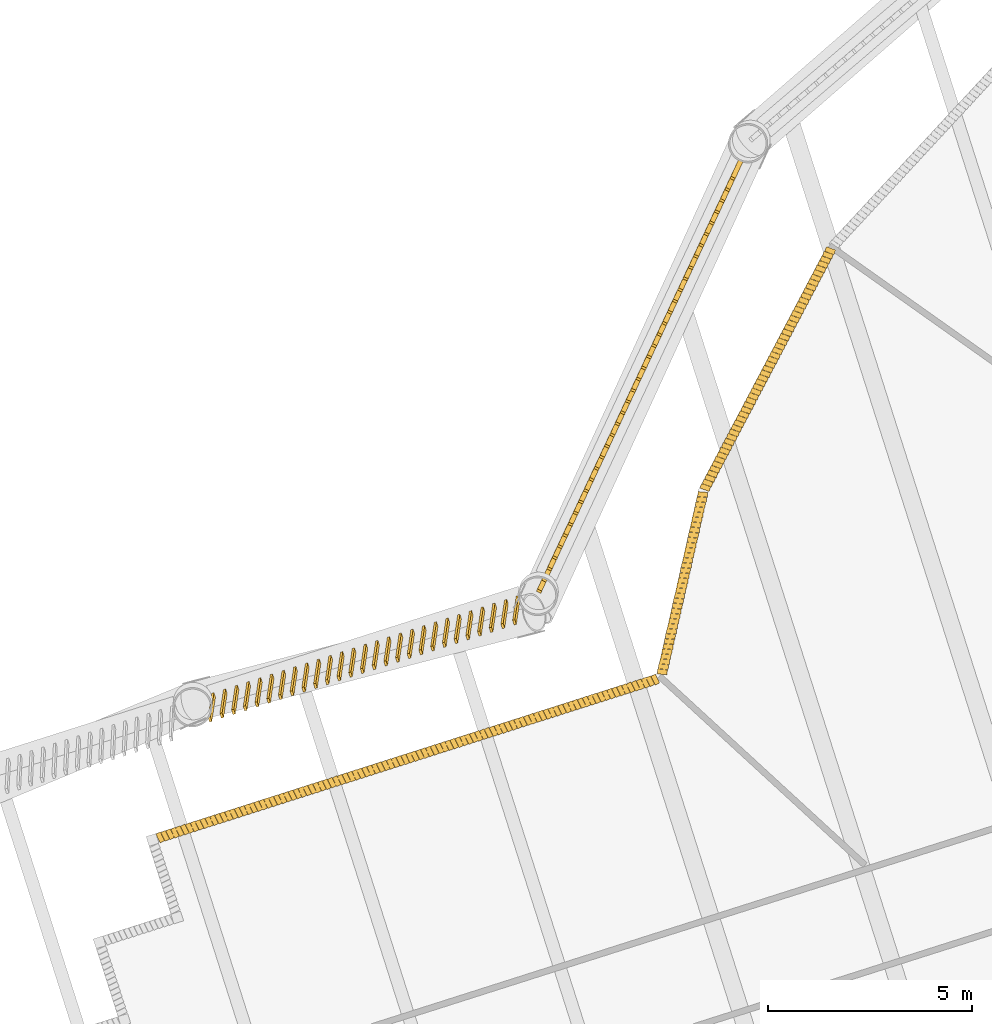
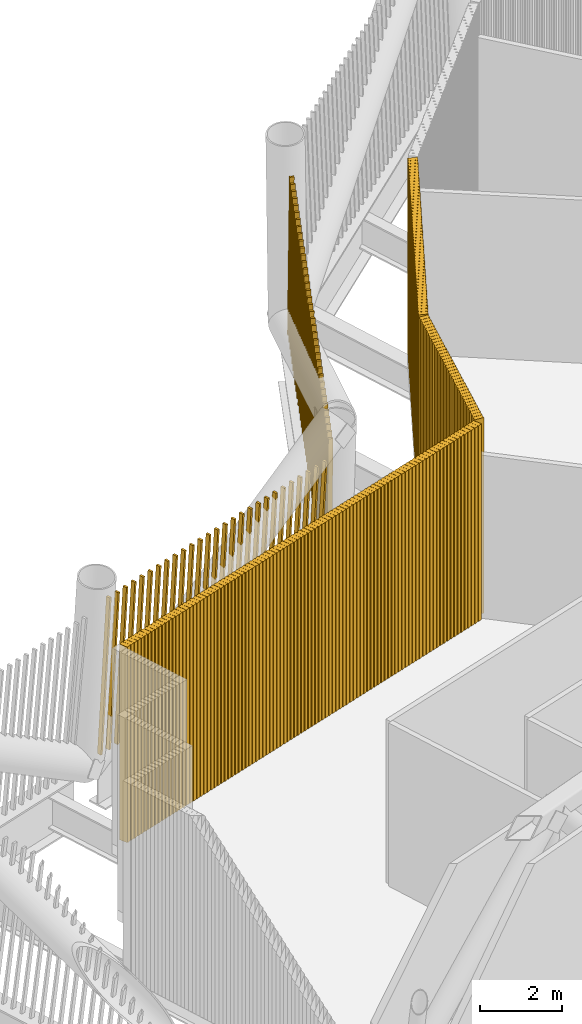
# One storey, part 33 of 40: 5 shading devices.
"""IFC4 building model written with IfcOpenShell, lengths in metres."""

from ifc_helpers import new_model, si_unit, direction, frame, frame_2d, origin, place, context, subcontext, project, spatial, rectangle, composite_profile, extrude, material, type_object, element, save


model = new_model("IFC4")

# Units and contexts
model_context = context("Model", 3, precision=1e-05, world=origin(), true_north=direction((0.0, 1.0)))
body_context = subcontext(model_context, "Body", "Model", "MODEL_VIEW")
ifc_project = project(units=[si_unit("LENGTHUNIT", "METRE"), si_unit("AREAUNIT", "SQUARE_METRE"), si_unit("VOLUMEUNIT", "CUBIC_METRE"), si_unit("PLANEANGLEUNIT", "RADIAN"), si_unit("MASSUNIT", "GRAM", prefix="KILO")], contexts=[model_context])

# Site, building, storey
site_placement = place(None, origin())
site = spatial("IfcSite", under=ifc_project, at=site_placement, CompositionType="ELEMENT")
building_placement = place(site_placement, origin())
building = spatial("IfcBuilding", under=site, at=building_placement, Name="Tarsis Ring Headquarters", CompositionType="ELEMENT")
storey_placement = place(building_placement, frame((0.0, 0.0, 354.800048828125)))
storey = spatial("IfcBuildingStorey", under=building, at=storey_placement, Name="L84", CompositionType="ELEMENT", Elevation=354.800048828125)

# Shading devices
ifc_material_1 = material(Name="Aluminium louvre", Category="aluminium")
shading_device_type_1 = type_object("IfcShadingDeviceType", Name="Plant louvre fin", PredefinedType="USERDEFINED", material=ifc_material_1)
shading_device_1_placement = place(storey_placement, frame((-21.119140625, 14.9443359375, 0.0), z_axis=(0.0, 0.0, 1.0), x_axis=(-0.466693302339, -0.884425395903, 0.0)))
element("IfcShadingDevice", 1, at=shading_device_1_placement, inside=storey, type_object=shading_device_type_1, Name="Louvre L84-29", ObjectType="Louvre", PredefinedType="USERDEFINED", context=body_context, shape_type="SweptSolid", body=[
    extrude(composite_profile([rectangle(XDim=0.1201171875, YDim=0.239990234375, at=frame_2d((0.076171875, 0.0), x_axis=(0.990268068742, 0.13917310096))), rectangle(XDim=0.1201171875, YDim=0.239990234375, at=frame_2d((0.202392578125, 0.0), x_axis=(0.990268068742, 0.13917310096))), rectangle(XDim=0.1201171875, YDim=0.239990234375, at=frame_2d((0.328857421875, 0.0), x_axis=(0.990268068742, 0.13917310096))), rectangle(XDim=0.1201171875, YDim=0.239990234375, at=frame_2d((0.455078125, 0.0), x_axis=(0.990268068742, 0.13917310096))), rectangle(XDim=0.1201171875, YDim=0.239990234375, at=frame_2d((0.58154296875, 0.0), x_axis=(0.990268068742, 0.13917310096))), rectangle(XDim=0.1201171875, YDim=0.239990234375, at=frame_2d((0.707763671875, 0.0), x_axis=(0.990268068742, 0.13917310096))), rectangle(XDim=0.1201171875, YDim=0.239990234375, at=frame_2d((0.834228515625, 0.0), x_axis=(0.990268068742, 0.13917310096))), rectangle(XDim=0.1201171875, YDim=0.239990234375, at=frame_2d((0.96044921875, 0.0), x_axis=(0.990268068742, 0.13917310096))), rectangle(XDim=0.1201171875, YDim=0.239990234375, at=frame_2d((1.0869140625, 0.0), x_axis=(0.990268068742, 0.13917310096))), rectangle(XDim=0.1201171875, YDim=0.239990234375, at=frame_2d((1.213134765625, 0.0), x_axis=(0.990268068742, 0.13917310096))), rectangle(XDim=0.1201171875, YDim=0.239990234375, at=frame_2d((1.339599609375, 0.0), x_axis=(0.990268068742, 0.13917310096))), rectangle(XDim=0.1201171875, YDim=0.239990234375, at=frame_2d((1.4658203125, 0.0), x_axis=(0.990268068742, 0.13917310096))), rectangle(XDim=0.1201171875, YDim=0.239990234375, at=frame_2d((1.59228515625, 0.0), x_axis=(0.990268068742, 0.13917310096))), rectangle(XDim=0.1201171875, YDim=0.239990234375, at=frame_2d((1.718505859375, 0.0), x_axis=(0.990268068742, 0.13917310096))), rectangle(XDim=0.1201171875, YDim=0.239990234375, at=frame_2d((1.8447265625, 0.0), x_axis=(0.990268068742, 0.13917310096))), rectangle(XDim=0.1201171875, YDim=0.239990234375, at=frame_2d((1.97119140625, 0.0), x_axis=(0.990268068742, 0.13917310096))), rectangle(XDim=0.1201171875, YDim=0.239990234375, at=frame_2d((2.097412109375, 0.0), x_axis=(0.990268068742, 0.13917310096))), rectangle(XDim=0.1201171875, YDim=0.239990234375, at=frame_2d((2.223876953125, 0.0), x_axis=(0.990268068742, 0.13917310096))), rectangle(XDim=0.1201171875, YDim=0.239990234375, at=frame_2d((2.35009765625, 0.0), x_axis=(0.990268068742, 0.13917310096))), rectangle(XDim=0.1201171875, YDim=0.239990234375, at=frame_2d((2.4765625, 0.0), x_axis=(0.990268068742, 0.13917310096))), rectangle(XDim=0.1201171875, YDim=0.239990234375, at=frame_2d((2.602783203125, 0.0), x_axis=(0.990268068742, 0.13917310096))), rectangle(XDim=0.1201171875, YDim=0.239990234375, at=frame_2d((2.729248046875, 0.0), x_axis=(0.990268068742, 0.13917310096))), rectangle(XDim=0.1201171875, YDim=0.239990234375, at=frame_2d((2.85546875, 0.0), x_axis=(0.990268068742, 0.13917310096))), rectangle(XDim=0.1201171875, YDim=0.239990234375, at=frame_2d((2.98193359375, 0.0), x_axis=(0.990268068742, 0.13917310096))), rectangle(XDim=0.1201171875, YDim=0.239990234375, at=frame_2d((3.108154296875, 0.0), x_axis=(0.990268068742, 0.13917310096))), rectangle(XDim=0.1201171875, YDim=0.239990234375, at=frame_2d((3.234619140625, 0.0), x_axis=(0.990268068742, 0.13917310096))), rectangle(XDim=0.1201171875, YDim=0.239990234375, at=frame_2d((3.36083984375, 0.0), x_axis=(0.990268068742, 0.13917310096))), rectangle(XDim=0.1201171875, YDim=0.239990234375, at=frame_2d((3.487060546875, 0.0), x_axis=(0.990268068742, 0.13917310096))), rectangle(XDim=0.1201171875, YDim=0.239990234375, at=frame_2d((3.613525390625, 0.0), x_axis=(0.990268068742, 0.13917310096))), rectangle(XDim=0.1201171875, YDim=0.239990234375, at=frame_2d((3.73974609375, 0.0), x_axis=(0.990268068742, 0.13917310096))), rectangle(XDim=0.1201171875, YDim=0.239990234375, at=frame_2d((3.8662109375, 0.0), x_axis=(0.990268068742, 0.13917310096))), rectangle(XDim=0.1201171875, YDim=0.239990234375, at=frame_2d((3.992431640625, 0.0), x_axis=(0.990268068742, 0.13917310096))), rectangle(XDim=0.1201171875, YDim=0.239990234375, at=frame_2d((4.118896484375, 0.0), x_axis=(0.990268068742, 0.13917310096))), rectangle(XDim=0.1201171875, YDim=0.239990234375, at=frame_2d((4.2451171875, 0.0), x_axis=(0.990268068742, 0.13917310096))), rectangle(XDim=0.1201171875, YDim=0.239990234375, at=frame_2d((4.37158203125, 0.0), x_axis=(0.990268068742, 0.13917310096))), rectangle(XDim=0.1201171875, YDim=0.239990234375, at=frame_2d((4.497802734375, 0.0), x_axis=(0.990268068742, 0.13917310096))), rectangle(XDim=0.1201171875, YDim=0.239990234375, at=frame_2d((4.624267578125, 0.0), x_axis=(0.990268068742, 0.13917310096))), rectangle(XDim=0.1201171875, YDim=0.239990234375, at=frame_2d((4.75048828125, 0.0), x_axis=(0.990268068742, 0.13917310096))), rectangle(XDim=0.1201171875, YDim=0.239990234375, at=frame_2d((4.876953125, 0.0), x_axis=(0.990268068742, 0.13917310096))), rectangle(XDim=0.1201171875, YDim=0.239990234375, at=frame_2d((5.003173828125, 0.0), x_axis=(0.990268068742, 0.13917310096))), rectangle(XDim=0.1201171875, YDim=0.239990234375, at=frame_2d((5.12939453125, 0.0), x_axis=(0.990268068742, 0.13917310096))), rectangle(XDim=0.1201171875, YDim=0.239990234375, at=frame_2d((5.255859375, 0.0), x_axis=(0.990268068742, 0.13917310096))), rectangle(XDim=0.1201171875, YDim=0.239990234375, at=frame_2d((5.382080078125, 0.0), x_axis=(0.990268068742, 0.13917310096))), rectangle(XDim=0.1201171875, YDim=0.239990234375, at=frame_2d((5.508544921875, 0.0), x_axis=(0.990268068742, 0.13917310096))), rectangle(XDim=0.1201171875, YDim=0.239990234375, at=frame_2d((5.634765625, 0.0), x_axis=(0.990268068742, 0.13917310096))), rectangle(XDim=0.1201171875, YDim=0.239990234375, at=frame_2d((5.76123046875, 0.0), x_axis=(0.990268068742, 0.13917310096))), rectangle(XDim=0.1201171875, YDim=0.239990234375, at=frame_2d((5.887451171875, 0.0), x_axis=(0.990268068742, 0.13917310096))), rectangle(XDim=0.1201171875, YDim=0.239990234375, at=frame_2d((6.013916015625, 0.0), x_axis=(0.990268068742, 0.13917310096))), rectangle(XDim=0.1201171875, YDim=0.239990234375, at=frame_2d((6.14013671875, 0.0), x_axis=(0.990268068742, 0.13917310096))), rectangle(XDim=0.1201171875, YDim=0.239990234375, at=frame_2d((6.2666015625, 0.0), x_axis=(0.990268068742, 0.13917310096))), rectangle(XDim=0.1201171875, YDim=0.239990234375, at=frame_2d((6.392822265625, 0.0), x_axis=(0.990268068742, 0.13917310096))), rectangle(XDim=0.1201171875, YDim=0.239990234375, at=frame_2d((6.519287109375, 0.0), x_axis=(0.990268068742, 0.13917310096))), rectangle(XDim=0.1201171875, YDim=0.239990234375, at=frame_2d((6.6455078125, 0.0), x_axis=(0.990268068742, 0.13917310096)))]), origin(), (0.0, 0.0, 1.0), 5.83984375),
])
shading_device_2_placement = place(storey_placement, frame((-24.267333984375, 8.968994140625, 0.0), z_axis=(0.0, 0.0, 1.0), x_axis=(-0.22188739096, -0.975046259582, 0.0)))
element("IfcShadingDevice", 2, at=shading_device_2_placement, inside=storey, type_object=shading_device_type_1, Name="Louvre L84-30", ObjectType="Louvre", PredefinedType="USERDEFINED", context=body_context, shape_type="SweptSolid", body=[
    extrude(composite_profile([rectangle(XDim=0.1201171875, YDim=0.239990234375, at=frame_2d((0.076171875, 0.0), x_axis=(0.990268068742, 0.13917310096))), rectangle(XDim=0.1201171875, YDim=0.239990234375, at=frame_2d((0.203857421875, 0.0), x_axis=(0.990268068742, 0.13917310096))), rectangle(XDim=0.1201171875, YDim=0.239990234375, at=frame_2d((0.331298828125, 0.0), x_axis=(0.990268068742, 0.13917310096))), rectangle(XDim=0.1201171875, YDim=0.239990234375, at=frame_2d((0.458984375, 0.0), x_axis=(0.990268068742, 0.13917310096))), rectangle(XDim=0.1201171875, YDim=0.239990234375, at=frame_2d((0.58642578125, 0.0), x_axis=(0.990268068742, 0.13917310096))), rectangle(XDim=0.1201171875, YDim=0.239990234375, at=frame_2d((0.714111328125, 0.0), x_axis=(0.990268068742, 0.13917310096))), rectangle(XDim=0.1201171875, YDim=0.239990234375, at=frame_2d((0.841796875, 0.0), x_axis=(0.990268068742, 0.13917310096))), rectangle(XDim=0.1201171875, YDim=0.239990234375, at=frame_2d((0.96923828125, 0.0), x_axis=(0.990268068742, 0.13917310096))), rectangle(XDim=0.1201171875, YDim=0.239990234375, at=frame_2d((1.096923828125, 0.0), x_axis=(0.990268068742, 0.13917310096))), rectangle(XDim=0.1201171875, YDim=0.239990234375, at=frame_2d((1.224365234375, 0.0), x_axis=(0.990268068742, 0.13917310096))), rectangle(XDim=0.1201171875, YDim=0.239990234375, at=frame_2d((1.35205078125, 0.0), x_axis=(0.990268068742, 0.13917310096))), rectangle(XDim=0.1201171875, YDim=0.239990234375, at=frame_2d((1.479736328125, 0.0), x_axis=(0.990268068742, 0.13917310096))), rectangle(XDim=0.1201171875, YDim=0.239990234375, at=frame_2d((1.607177734375, 0.0), x_axis=(0.990268068742, 0.13917310096))), rectangle(XDim=0.1201171875, YDim=0.239990234375, at=frame_2d((1.73486328125, 0.0), x_axis=(0.990268068742, 0.13917310096))), rectangle(XDim=0.1201171875, YDim=0.239990234375, at=frame_2d((1.8623046875, 0.0), x_axis=(0.990268068742, 0.13917310096))), rectangle(XDim=0.1201171875, YDim=0.239990234375, at=frame_2d((1.989990234375, 0.0), x_axis=(0.990268068742, 0.13917310096))), rectangle(XDim=0.1201171875, YDim=0.239990234375, at=frame_2d((2.11767578125, 0.0), x_axis=(0.990268068742, 0.13917310096))), rectangle(XDim=0.1201171875, YDim=0.239990234375, at=frame_2d((2.2451171875, 0.0), x_axis=(0.990268068742, 0.13917310096))), rectangle(XDim=0.1201171875, YDim=0.239990234375, at=frame_2d((2.372802734375, 0.0), x_axis=(0.990268068742, 0.13917310096))), rectangle(XDim=0.1201171875, YDim=0.239990234375, at=frame_2d((2.500244140625, 0.0), x_axis=(0.990268068742, 0.13917310096))), rectangle(XDim=0.1201171875, YDim=0.239990234375, at=frame_2d((2.6279296875, 0.0), x_axis=(0.990268068742, 0.13917310096))), rectangle(XDim=0.1201171875, YDim=0.239990234375, at=frame_2d((2.755615234375, 0.0), x_axis=(0.990268068742, 0.13917310096))), rectangle(XDim=0.1201171875, YDim=0.239990234375, at=frame_2d((2.883056640625, 0.0), x_axis=(0.990268068742, 0.13917310096))), rectangle(XDim=0.1201171875, YDim=0.239990234375, at=frame_2d((3.0107421875, 0.0), x_axis=(0.990268068742, 0.13917310096))), rectangle(XDim=0.1201171875, YDim=0.239990234375, at=frame_2d((3.13818359375, 0.0), x_axis=(0.990268068742, 0.13917310096))), rectangle(XDim=0.1201171875, YDim=0.239990234375, at=frame_2d((3.265869140625, 0.0), x_axis=(0.990268068742, 0.13917310096))), rectangle(XDim=0.1201171875, YDim=0.239990234375, at=frame_2d((3.3935546875, 0.0), x_axis=(0.990268068742, 0.13917310096))), rectangle(XDim=0.1201171875, YDim=0.239990234375, at=frame_2d((3.52099609375, 0.0), x_axis=(0.990268068742, 0.13917310096))), rectangle(XDim=0.1201171875, YDim=0.239990234375, at=frame_2d((3.648681640625, 0.0), x_axis=(0.990268068742, 0.13917310096))), rectangle(XDim=0.1201171875, YDim=0.239990234375, at=frame_2d((3.776123046875, 0.0), x_axis=(0.990268068742, 0.13917310096))), rectangle(XDim=0.1201171875, YDim=0.239990234375, at=frame_2d((3.90380859375, 0.0), x_axis=(0.990268068742, 0.13917310096))), rectangle(XDim=0.1201171875, YDim=0.239990234375, at=frame_2d((4.031494140625, 0.0), x_axis=(0.990268068742, 0.13917310096))), rectangle(XDim=0.1201171875, YDim=0.239990234375, at=frame_2d((4.158935546875, 0.0), x_axis=(0.990268068742, 0.13917310096))), rectangle(XDim=0.1201171875, YDim=0.239990234375, at=frame_2d((4.28662109375, 0.0), x_axis=(0.990268068742, 0.13917310096))), rectangle(XDim=0.1201171875, YDim=0.239990234375, at=frame_2d((4.4140625, 0.0), x_axis=(0.990268068742, 0.13917310096))), rectangle(XDim=0.1201171875, YDim=0.239990234375, at=frame_2d((4.541748046875, 0.0), x_axis=(0.990268068742, 0.13917310096)))]), origin(), (0.0, 0.0, 1.0), 5.83984375),
])
shading_device_3_placement = place(storey_placement, frame((-25.3759765625, 4.375, 0.0), z_axis=(0.0, 0.0, 1.0), x_axis=(-0.952766633866, -0.303705245629, 0.0)))
element("IfcShadingDevice", 3, at=shading_device_3_placement, inside=storey, type_object=shading_device_type_1, Name="Louvre L84-31", ObjectType="Louvre", PredefinedType="USERDEFINED", context=body_context, shape_type="SweptSolid", body=[
    extrude(composite_profile([rectangle(XDim=0.1201171875, YDim=0.239990234375, at=frame_2d((0.076171875, 0.0), x_axis=(0.990268068742, 0.13917310096))), rectangle(XDim=0.1201171875, YDim=0.239990234375, at=frame_2d((0.202392578125, 0.0), x_axis=(0.990268068742, 0.13917310096))), rectangle(XDim=0.1201171875, YDim=0.239990234375, at=frame_2d((0.32861328125, 0.0), x_axis=(0.990268068742, 0.13917310096))), rectangle(XDim=0.1201171875, YDim=0.239990234375, at=frame_2d((0.454833984375, 0.0), x_axis=(0.990268068742, 0.13917310096))), rectangle(XDim=0.1201171875, YDim=0.239990234375, at=frame_2d((0.5810546875, 0.0), x_axis=(0.990268068742, 0.13917310096))), rectangle(XDim=0.1201171875, YDim=0.239990234375, at=frame_2d((0.707275390625, 0.0), x_axis=(0.990268068742, 0.13917310096))), rectangle(XDim=0.1201171875, YDim=0.239990234375, at=frame_2d((0.83349609375, 0.0), x_axis=(0.990268068742, 0.13917310096))), rectangle(XDim=0.1201171875, YDim=0.239990234375, at=frame_2d((0.959716796875, 0.0), x_axis=(0.990268068742, 0.13917310096))), rectangle(XDim=0.1201171875, YDim=0.239990234375, at=frame_2d((1.0859375, 0.0), x_axis=(0.990268068742, 0.13917310096))), rectangle(XDim=0.1201171875, YDim=0.239990234375, at=frame_2d((1.212158203125, 0.0), x_axis=(0.990268068742, 0.13917310096))), rectangle(XDim=0.1201171875, YDim=0.239990234375, at=frame_2d((1.33837890625, 0.0), x_axis=(0.990268068742, 0.13917310096))), rectangle(XDim=0.1201171875, YDim=0.239990234375, at=frame_2d((1.464599609375, 0.0), x_axis=(0.990268068742, 0.13917310096))), rectangle(XDim=0.1201171875, YDim=0.239990234375, at=frame_2d((1.5908203125, 0.0), x_axis=(0.990268068742, 0.13917310096))), rectangle(XDim=0.1201171875, YDim=0.239990234375, at=frame_2d((1.717041015625, 0.0), x_axis=(0.990268068742, 0.13917310096))), rectangle(XDim=0.1201171875, YDim=0.239990234375, at=frame_2d((1.84326171875, 0.0), x_axis=(0.990268068742, 0.13917310096))), rectangle(XDim=0.1201171875, YDim=0.239990234375, at=frame_2d((1.969482421875, 0.0), x_axis=(0.990268068742, 0.13917310096))), rectangle(XDim=0.1201171875, YDim=0.239990234375, at=frame_2d((2.095703125, 0.0), x_axis=(0.990268068742, 0.13917310096))), rectangle(XDim=0.1201171875, YDim=0.239990234375, at=frame_2d((2.22216796875, 0.0), x_axis=(0.990268068742, 0.13917310096))), rectangle(XDim=0.1201171875, YDim=0.239990234375, at=frame_2d((2.348388671875, 0.0), x_axis=(0.990268068742, 0.13917310096))), rectangle(XDim=0.1201171875, YDim=0.239990234375, at=frame_2d((2.474609375, 0.0), x_axis=(0.990268068742, 0.13917310096))), rectangle(XDim=0.1201171875, YDim=0.239990234375, at=frame_2d((2.600830078125, 0.0), x_axis=(0.990268068742, 0.13917310096))), rectangle(XDim=0.1201171875, YDim=0.239990234375, at=frame_2d((2.72705078125, 0.0), x_axis=(0.990268068742, 0.13917310096))), rectangle(XDim=0.1201171875, YDim=0.239990234375, at=frame_2d((2.853271484375, 0.0), x_axis=(0.990268068742, 0.13917310096))), rectangle(XDim=0.1201171875, YDim=0.239990234375, at=frame_2d((2.9794921875, 0.0), x_axis=(0.990268068742, 0.13917310096))), rectangle(XDim=0.1201171875, YDim=0.239990234375, at=frame_2d((3.105712890625, 0.0), x_axis=(0.990268068742, 0.13917310096))), rectangle(XDim=0.1201171875, YDim=0.239990234375, at=frame_2d((3.23193359375, 0.0), x_axis=(0.990268068742, 0.13917310096))), rectangle(XDim=0.1201171875, YDim=0.239990234375, at=frame_2d((3.358154296875, 0.0), x_axis=(0.990268068742, 0.13917310096))), rectangle(XDim=0.1201171875, YDim=0.239990234375, at=frame_2d((3.484375, 0.0), x_axis=(0.990268068742, 0.13917310096))), rectangle(XDim=0.1201171875, YDim=0.239990234375, at=frame_2d((3.610595703125, 0.0), x_axis=(0.990268068742, 0.13917310096))), rectangle(XDim=0.1201171875, YDim=0.239990234375, at=frame_2d((3.73681640625, 0.0), x_axis=(0.990268068742, 0.13917310096))), rectangle(XDim=0.1201171875, YDim=0.239990234375, at=frame_2d((3.863037109375, 0.0), x_axis=(0.990268068742, 0.13917310096))), rectangle(XDim=0.1201171875, YDim=0.239990234375, at=frame_2d((3.9892578125, 0.0), x_axis=(0.990268068742, 0.13917310096))), rectangle(XDim=0.1201171875, YDim=0.239990234375, at=frame_2d((4.115478515625, 0.0), x_axis=(0.990268068742, 0.13917310096))), rectangle(XDim=0.1201171875, YDim=0.239990234375, at=frame_2d((4.24169921875, 0.0), x_axis=(0.990268068742, 0.13917310096))), rectangle(XDim=0.1201171875, YDim=0.239990234375, at=frame_2d((4.367919921875, 0.0), x_axis=(0.990268068742, 0.13917310096))), rectangle(XDim=0.1201171875, YDim=0.239990234375, at=frame_2d((4.494140625, 0.0), x_axis=(0.990268068742, 0.13917310096))), rectangle(XDim=0.1201171875, YDim=0.239990234375, at=frame_2d((4.620361328125, 0.0), x_axis=(0.990268068742, 0.13917310096))), rectangle(XDim=0.1201171875, YDim=0.239990234375, at=frame_2d((4.74658203125, 0.0), x_axis=(0.990268068742, 0.13917310096))), rectangle(XDim=0.1201171875, YDim=0.239990234375, at=frame_2d((4.872802734375, 0.0), x_axis=(0.990268068742, 0.13917310096))), rectangle(XDim=0.1201171875, YDim=0.239990234375, at=frame_2d((4.9990234375, 0.0), x_axis=(0.990268068742, 0.13917310096))), rectangle(XDim=0.1201171875, YDim=0.239990234375, at=frame_2d((5.125244140625, 0.0), x_axis=(0.990268068742, 0.13917310096))), rectangle(XDim=0.1201171875, YDim=0.239990234375, at=frame_2d((5.25146484375, 0.0), x_axis=(0.990268068742, 0.13917310096))), rectangle(XDim=0.1201171875, YDim=0.239990234375, at=frame_2d((5.377685546875, 0.0), x_axis=(0.990268068742, 0.13917310096))), rectangle(XDim=0.1201171875, YDim=0.239990234375, at=frame_2d((5.50390625, 0.0), x_axis=(0.990268068742, 0.13917310096))), rectangle(XDim=0.1201171875, YDim=0.239990234375, at=frame_2d((5.630126953125, 0.0), x_axis=(0.990268068742, 0.13917310096))), rectangle(XDim=0.1201171875, YDim=0.239990234375, at=frame_2d((5.75634765625, 0.0), x_axis=(0.990268068742, 0.13917310096))), rectangle(XDim=0.1201171875, YDim=0.239990234375, at=frame_2d((5.882568359375, 0.0), x_axis=(0.990268068742, 0.13917310096))), rectangle(XDim=0.1201171875, YDim=0.239990234375, at=frame_2d((6.0087890625, 0.0), x_axis=(0.990268068742, 0.13917310096))), rectangle(XDim=0.1201171875, YDim=0.239990234375, at=frame_2d((6.135009765625, 0.0), x_axis=(0.990268068742, 0.13917310096))), rectangle(XDim=0.1201171875, YDim=0.239990234375, at=frame_2d((6.26123046875, 0.0), x_axis=(0.990268068742, 0.13917310096))), rectangle(XDim=0.1201171875, YDim=0.239990234375, at=frame_2d((6.387451171875, 0.0), x_axis=(0.990268068742, 0.13917310096))), rectangle(XDim=0.1201171875, YDim=0.239990234375, at=frame_2d((6.513916015625, 0.0), x_axis=(0.990268068742, 0.13917310096))), rectangle(XDim=0.1201171875, YDim=0.239990234375, at=frame_2d((6.64013671875, 0.0), x_axis=(0.990268068742, 0.13917310096))), rectangle(XDim=0.1201171875, YDim=0.239990234375, at=frame_2d((6.766357421875, 0.0), x_axis=(0.990268068742, 0.13917310096))), rectangle(XDim=0.1201171875, YDim=0.239990234375, at=frame_2d((6.892578125, 0.0), x_axis=(0.990268068742, 0.13917310096))), rectangle(XDim=0.1201171875, YDim=0.239990234375, at=frame_2d((7.018798828125, 0.0), x_axis=(0.990268068742, 0.13917310096))), rectangle(XDim=0.1201171875, YDim=0.239990234375, at=frame_2d((7.14501953125, 0.0), x_axis=(0.990268068742, 0.13917310096))), rectangle(XDim=0.1201171875, YDim=0.239990234375, at=frame_2d((7.271240234375, 0.0), x_axis=(0.990268068742, 0.13917310096))), rectangle(XDim=0.1201171875, YDim=0.239990234375, at=frame_2d((7.3974609375, 0.0), x_axis=(0.990268068742, 0.13917310096))), rectangle(XDim=0.1201171875, YDim=0.239990234375, at=frame_2d((7.523681640625, 0.0), x_axis=(0.990268068742, 0.13917310096))), rectangle(XDim=0.1201171875, YDim=0.239990234375, at=frame_2d((7.64990234375, 0.0), x_axis=(0.990268068742, 0.13917310096))), rectangle(XDim=0.1201171875, YDim=0.239990234375, at=frame_2d((7.776123046875, 0.0), x_axis=(0.990268068742, 0.13917310096))), rectangle(XDim=0.1201171875, YDim=0.239990234375, at=frame_2d((7.90234375, 0.0), x_axis=(0.990268068742, 0.13917310096))), rectangle(XDim=0.1201171875, YDim=0.239990234375, at=frame_2d((8.028564453125, 0.0), x_axis=(0.990268068742, 0.13917310096))), rectangle(XDim=0.1201171875, YDim=0.239990234375, at=frame_2d((8.15478515625, 0.0), x_axis=(0.990268068742, 0.13917310096))), rectangle(XDim=0.1201171875, YDim=0.239990234375, at=frame_2d((8.281005859375, 0.0), x_axis=(0.990268068742, 0.13917310096))), rectangle(XDim=0.1201171875, YDim=0.239990234375, at=frame_2d((8.4072265625, 0.0), x_axis=(0.990268068742, 0.13917310096))), rectangle(XDim=0.1201171875, YDim=0.239990234375, at=frame_2d((8.533447265625, 0.0), x_axis=(0.990268068742, 0.13917310096))), rectangle(XDim=0.1201171875, YDim=0.239990234375, at=frame_2d((8.65966796875, 0.0), x_axis=(0.990268068742, 0.13917310096))), rectangle(XDim=0.1201171875, YDim=0.239990234375, at=frame_2d((8.785888671875, 0.0), x_axis=(0.990268068742, 0.13917310096))), rectangle(XDim=0.1201171875, YDim=0.239990234375, at=frame_2d((8.912109375, 0.0), x_axis=(0.990268068742, 0.13917310096))), rectangle(XDim=0.1201171875, YDim=0.239990234375, at=frame_2d((9.038330078125, 0.0), x_axis=(0.990268068742, 0.13917310096))), rectangle(XDim=0.1201171875, YDim=0.239990234375, at=frame_2d((9.16455078125, 0.0), x_axis=(0.990268068742, 0.13917310096))), rectangle(XDim=0.1201171875, YDim=0.239990234375, at=frame_2d((9.290771484375, 0.0), x_axis=(0.990268068742, 0.13917310096))), rectangle(XDim=0.1201171875, YDim=0.239990234375, at=frame_2d((9.4169921875, 0.0), x_axis=(0.990268068742, 0.13917310096))), rectangle(XDim=0.1201171875, YDim=0.239990234375, at=frame_2d((9.543212890625, 0.0), x_axis=(0.990268068742, 0.13917310096))), rectangle(XDim=0.1201171875, YDim=0.239990234375, at=frame_2d((9.66943359375, 0.0), x_axis=(0.990268068742, 0.13917310096))), rectangle(XDim=0.1201171875, YDim=0.239990234375, at=frame_2d((9.795654296875, 0.0), x_axis=(0.990268068742, 0.13917310096))), rectangle(XDim=0.1201171875, YDim=0.239990234375, at=frame_2d((9.921875, 0.0), x_axis=(0.990268068742, 0.13917310096))), rectangle(XDim=0.1201171875, YDim=0.239990234375, at=frame_2d((10.048095703125, 0.0), x_axis=(0.990268068742, 0.13917310096))), rectangle(XDim=0.1201171875, YDim=0.239990234375, at=frame_2d((10.17431640625, 0.0), x_axis=(0.990268068742, 0.13917310096))), rectangle(XDim=0.1201171875, YDim=0.239990234375, at=frame_2d((10.300537109375, 0.0), x_axis=(0.990268068742, 0.13917310096))), rectangle(XDim=0.1201171875, YDim=0.239990234375, at=frame_2d((10.4267578125, 0.0), x_axis=(0.990268068742, 0.13917310096))), rectangle(XDim=0.1201171875, YDim=0.239990234375, at=frame_2d((10.552978515625, 0.0), x_axis=(0.990268068742, 0.13917310096))), rectangle(XDim=0.1201171875, YDim=0.239990234375, at=frame_2d((10.67919921875, 0.0), x_axis=(0.990268068742, 0.13917310096))), rectangle(XDim=0.1201171875, YDim=0.239990234375, at=frame_2d((10.8056640625, 0.0), x_axis=(0.990268068742, 0.13917310096))), rectangle(XDim=0.1201171875, YDim=0.239990234375, at=frame_2d((10.931884765625, 0.0), x_axis=(0.990268068742, 0.13917310096))), rectangle(XDim=0.1201171875, YDim=0.239990234375, at=frame_2d((11.05810546875, 0.0), x_axis=(0.990268068742, 0.13917310096))), rectangle(XDim=0.1201171875, YDim=0.239990234375, at=frame_2d((11.184326171875, 0.0), x_axis=(0.990268068742, 0.13917310096))), rectangle(XDim=0.1201171875, YDim=0.239990234375, at=frame_2d((11.310546875, 0.0), x_axis=(0.990268068742, 0.13917310096))), rectangle(XDim=0.1201171875, YDim=0.239990234375, at=frame_2d((11.436767578125, 0.0), x_axis=(0.990268068742, 0.13917310096))), rectangle(XDim=0.1201171875, YDim=0.239990234375, at=frame_2d((11.56298828125, 0.0), x_axis=(0.990268068742, 0.13917310096))), rectangle(XDim=0.1201171875, YDim=0.239990234375, at=frame_2d((11.689208984375, 0.0), x_axis=(0.990268068742, 0.13917310096))), rectangle(XDim=0.1201171875, YDim=0.239990234375, at=frame_2d((11.8154296875, 0.0), x_axis=(0.990268068742, 0.13917310096))), rectangle(XDim=0.1201171875, YDim=0.239990234375, at=frame_2d((11.941650390625, 0.0), x_axis=(0.990268068742, 0.13917310096))), rectangle(XDim=0.1201171875, YDim=0.239990234375, at=frame_2d((12.06787109375, 0.0), x_axis=(0.990268068742, 0.13917310096))), rectangle(XDim=0.1201171875, YDim=0.239990234375, at=frame_2d((12.194091796875, 0.0), x_axis=(0.990268068742, 0.13917310096))), rectangle(XDim=0.1201171875, YDim=0.239990234375, at=frame_2d((12.3203125, 0.0), x_axis=(0.990268068742, 0.13917310096))), rectangle(XDim=0.1201171875, YDim=0.239990234375, at=frame_2d((12.446533203125, 0.0), x_axis=(0.990268068742, 0.13917310096))), rectangle(XDim=0.1201171875, YDim=0.239990234375, at=frame_2d((12.57275390625, 0.0), x_axis=(0.990268068742, 0.13917310096))), rectangle(XDim=0.1201171875, YDim=0.239990234375, at=frame_2d((12.698974609375, 0.0), x_axis=(0.990268068742, 0.13917310096))), rectangle(XDim=0.1201171875, YDim=0.239990234375, at=frame_2d((12.8251953125, 0.0), x_axis=(0.990268068742, 0.13917310096)))]), origin(), (0.0, 0.0, 1.0), 5.83984375),
])
ifc_material_2 = material(Name="Terracotta baguette", Category="masonry")
shading_device_type_2 = type_object("IfcShadingDeviceType", Name="Terracotta baguette screen", PredefinedType="USERDEFINED", material=ifc_material_2)
shading_device_4_placement = place(storey_placement, frame((-23.32177734375, 17.1474609375, 0.0), z_axis=(0.0, 0.0, 1.0), x_axis=(-0.424537720288, -0.905417136904, 0.0)))
element("IfcShadingDevice", 4, at=shading_device_4_placement, inside=storey, type_object=shading_device_type_2, Name="Baguette screen L84-12", ObjectType="Terracotta baguette screen", PredefinedType="USERDEFINED", context=body_context, shape_type="SweptSolid", body=[
    extrude(composite_profile([rectangle(XDim=0.06005859375, YDim=0.1201171875, at=frame_2d((0.030029296875, 0.0))), rectangle(XDim=0.06005859375, YDim=0.1201171875, at=frame_2d((0.33251953125, 0.0))), rectangle(XDim=0.06005859375, YDim=0.1201171875, at=frame_2d((0.634765625, 0.0))), rectangle(XDim=0.06005859375, YDim=0.1201171875, at=frame_2d((0.937255859375, 0.0))), rectangle(XDim=0.06005859375, YDim=0.1201171875, at=frame_2d((1.239501953125, 0.0))), rectangle(XDim=0.06005859375, YDim=0.1201171875, at=frame_2d((1.5419921875, 0.0))), rectangle(XDim=0.06005859375, YDim=0.1201171875, at=frame_2d((1.844482421875, 0.0))), rectangle(XDim=0.06005859375, YDim=0.1201171875, at=frame_2d((2.146728515625, 0.0))), rectangle(XDim=0.06005859375, YDim=0.1201171875, at=frame_2d((2.44921875, 0.0))), rectangle(XDim=0.06005859375, YDim=0.1201171875, at=frame_2d((2.751708984375, 0.0))), rectangle(XDim=0.06005859375, YDim=0.1201171875, at=frame_2d((3.053955078125, 0.0))), rectangle(XDim=0.06005859375, YDim=0.1201171875, at=frame_2d((3.3564453125, 0.0))), rectangle(XDim=0.06005859375, YDim=0.1201171875, at=frame_2d((3.65869140625, 0.0))), rectangle(XDim=0.06005859375, YDim=0.1201171875, at=frame_2d((3.961181640625, 0.0))), rectangle(XDim=0.06005859375, YDim=0.1201171875, at=frame_2d((4.263671875, 0.0))), rectangle(XDim=0.06005859375, YDim=0.1201171875, at=frame_2d((4.56591796875, 0.0))), rectangle(XDim=0.06005859375, YDim=0.1201171875, at=frame_2d((4.868408203125, 0.0))), rectangle(XDim=0.06005859375, YDim=0.1201171875, at=frame_2d((5.1708984375, 0.0))), rectangle(XDim=0.06005859375, YDim=0.1201171875, at=frame_2d((5.47314453125, 0.0))), rectangle(XDim=0.06005859375, YDim=0.1201171875, at=frame_2d((5.775634765625, 0.0))), rectangle(XDim=0.06005859375, YDim=0.1201171875, at=frame_2d((6.077880859375, 0.0))), rectangle(XDim=0.06005859375, YDim=0.1201171875, at=frame_2d((6.38037109375, 0.0))), rectangle(XDim=0.06005859375, YDim=0.1201171875, at=frame_2d((6.682861328125, 0.0))), rectangle(XDim=0.06005859375, YDim=0.1201171875, at=frame_2d((6.985107421875, 0.0))), rectangle(XDim=0.06005859375, YDim=0.1201171875, at=frame_2d((7.28759765625, 0.0))), rectangle(XDim=0.06005859375, YDim=0.1201171875, at=frame_2d((7.590087890625, 0.0))), rectangle(XDim=0.06005859375, YDim=0.1201171875, at=frame_2d((7.892333984375, 0.0))), rectangle(XDim=0.06005859375, YDim=0.1201171875, at=frame_2d((8.19482421875, 0.0))), rectangle(XDim=0.06005859375, YDim=0.1201171875, at=frame_2d((8.4970703125, 0.0))), rectangle(XDim=0.06005859375, YDim=0.1201171875, at=frame_2d((8.799560546875, 0.0))), rectangle(XDim=0.06005859375, YDim=0.1201171875, at=frame_2d((9.10205078125, 0.0))), rectangle(XDim=0.06005859375, YDim=0.1201171875, at=frame_2d((9.404296875, 0.0))), rectangle(XDim=0.06005859375, YDim=0.1201171875, at=frame_2d((9.706787109375, 0.0))), rectangle(XDim=0.06005859375, YDim=0.1201171875, at=frame_2d((10.00927734375, 0.0))), rectangle(XDim=0.06005859375, YDim=0.1201171875, at=frame_2d((10.3115234375, 0.0))), rectangle(XDim=0.06005859375, YDim=0.1201171875, at=frame_2d((10.614013671875, 0.0))), rectangle(XDim=0.06005859375, YDim=0.1201171875, at=frame_2d((10.916259765625, 0.0))), rectangle(XDim=0.06005859375, YDim=0.1201171875, at=frame_2d((11.21875, 0.0)))]), origin(), (0.100926136338, 0.000915821696, 0.994893499966), 5.106689453125),
])
shading_device_5_placement = place(storey_placement, frame((-28.7861328125, 6.35791015625, 0.0), z_axis=(0.0, 0.0, 1.0), x_axis=(-0.952761987148, -0.303695007415, 0.0)))
element("IfcShadingDevice", 5, at=shading_device_5_placement, inside=storey, type_object=shading_device_type_2, Name="Baguette screen L84-13", ObjectType="Terracotta baguette screen", PredefinedType="USERDEFINED", context=body_context, shape_type="SweptSolid", body=[
    extrude(composite_profile([rectangle(XDim=0.06005859375, YDim=0.1201171875, at=frame_2d((0.030029296875, 0.0))), rectangle(XDim=0.06005859375, YDim=0.1201171875, at=frame_2d((0.33154296875, 0.0))), rectangle(XDim=0.06005859375, YDim=0.1201171875, at=frame_2d((0.63330078125, 0.0))), rectangle(XDim=0.06005859375, YDim=0.1201171875, at=frame_2d((0.934814453125, 0.0))), rectangle(XDim=0.06005859375, YDim=0.1201171875, at=frame_2d((1.236572265625, 0.0))), rectangle(XDim=0.06005859375, YDim=0.1201171875, at=frame_2d((1.5380859375, 0.0))), rectangle(XDim=0.06005859375, YDim=0.1201171875, at=frame_2d((1.83984375, 0.0))), rectangle(XDim=0.06005859375, YDim=0.1201171875, at=frame_2d((2.141357421875, 0.0))), rectangle(XDim=0.06005859375, YDim=0.1201171875, at=frame_2d((2.443115234375, 0.0))), rectangle(XDim=0.06005859375, YDim=0.1201171875, at=frame_2d((2.74462890625, 0.0))), rectangle(XDim=0.06005859375, YDim=0.1201171875, at=frame_2d((3.04638671875, 0.0))), rectangle(XDim=0.06005859375, YDim=0.1201171875, at=frame_2d((3.347900390625, 0.0))), rectangle(XDim=0.06005859375, YDim=0.1201171875, at=frame_2d((3.649658203125, 0.0))), rectangle(XDim=0.06005859375, YDim=0.1201171875, at=frame_2d((3.951171875, 0.0))), rectangle(XDim=0.06005859375, YDim=0.1201171875, at=frame_2d((4.252685546875, 0.0))), rectangle(XDim=0.06005859375, YDim=0.1201171875, at=frame_2d((4.554443359375, 0.0))), rectangle(XDim=0.06005859375, YDim=0.1201171875, at=frame_2d((4.85595703125, 0.0))), rectangle(XDim=0.06005859375, YDim=0.1201171875, at=frame_2d((5.15771484375, 0.0))), rectangle(XDim=0.06005859375, YDim=0.1201171875, at=frame_2d((5.459228515625, 0.0))), rectangle(XDim=0.06005859375, YDim=0.1201171875, at=frame_2d((5.760986328125, 0.0))), rectangle(XDim=0.06005859375, YDim=0.1201171875, at=frame_2d((6.0625, 0.0))), rectangle(XDim=0.06005859375, YDim=0.1201171875, at=frame_2d((6.3642578125, 0.0))), rectangle(XDim=0.06005859375, YDim=0.1201171875, at=frame_2d((6.665771484375, 0.0))), rectangle(XDim=0.06005859375, YDim=0.1201171875, at=frame_2d((6.967529296875, 0.0))), rectangle(XDim=0.06005859375, YDim=0.1201171875, at=frame_2d((7.26904296875, 0.0))), rectangle(XDim=0.06005859375, YDim=0.1201171875, at=frame_2d((7.57080078125, 0.0))), rectangle(XDim=0.06005859375, YDim=0.1201171875, at=frame_2d((7.872314453125, 0.0)))]), origin(), (0.051561625402, 0.104952955545, 0.993139605447), 5.11572265625),
])

save(model, "model.ifc")
